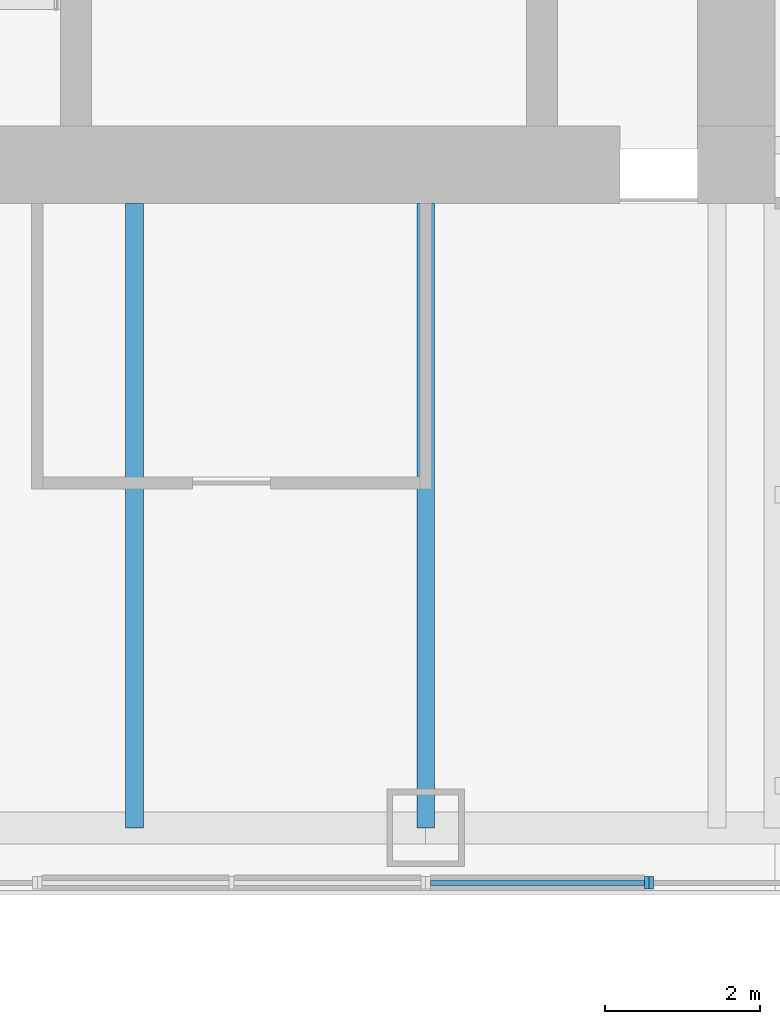
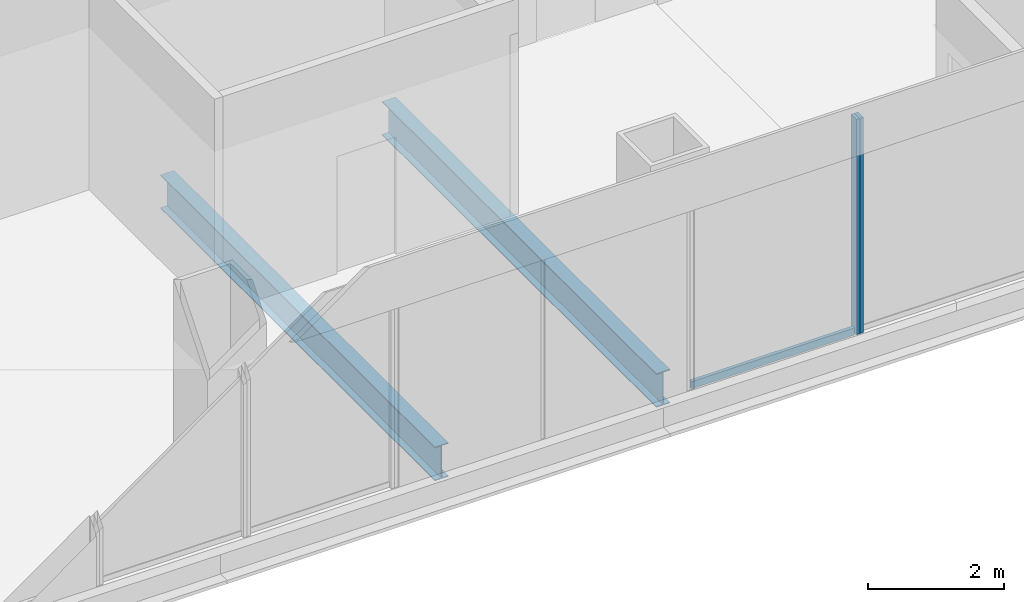
# One storey, part 3 of 14: 3 members, 2 beams, 2 elements without a shape of their own.
"""IFC4 building model written with IfcOpenShell, lengths in metres."""

from ifc_helpers import new_model, si_unit, direction, frame, origin, origin_2d, place, context, subcontext, project, spatial, rectangle, i_section, extrude, material, material_profile, profile_set, type_object, element, aggregate, save


model = new_model("IFC4")

# Units and contexts
model_context = context("Model", 3, precision=1e-05, world=origin(), true_north=direction((0.0, 1.0)))
body_context = subcontext(model_context, "Body", "Model", "MODEL_VIEW")
ifc_project = project(units=[si_unit("LENGTHUNIT", "METRE"), si_unit("AREAUNIT", "SQUARE_METRE"), si_unit("VOLUMEUNIT", "CUBIC_METRE"), si_unit("PLANEANGLEUNIT", "RADIAN"), si_unit("MASSUNIT", "GRAM", prefix="KILO")], contexts=[model_context])

# Site, building, storey
site_placement = place(None, origin())
site = spatial("IfcSite", under=ifc_project, at=site_placement, CompositionType="ELEMENT")
building_placement = place(site_placement, origin())
building = spatial("IfcBuilding", under=site, at=building_placement, Name="Tarangal Relay Tower", CompositionType="ELEMENT")
storey_placement = place(building_placement, frame((0.0, 0.0, 319.89990234375)))
storey = spatial("IfcBuildingStorey", under=building, at=storey_placement, Name="L71", CompositionType="ELEMENT", Elevation=319.89990234375)

# Beams
ifc_material_1 = material(Name="Steel ASTM A992", Category="steel")
ifc_material_profile_1 = material_profile(ifc_material_1, i_section(OverallWidth=0.228271484375, OverallDepth=0.607177734375, WebThickness=0.01123046875, FlangeThickness=0.017333984375, at=origin_2d()), Name="W24X76")
ifc_profile_set_1 = profile_set([ifc_material_profile_1], Name="Steel ASTM A992")
beam_type = type_object("IfcBeamType", Name="Floor beam W24X76", PredefinedType="BEAM", material=ifc_profile_set_1)
for number, where, z_axis, x_axis, name in (
    (1, (7.5, -12.0, -0.453369140625), (0.0, -1.0, 0.0), (1.0, 0.0, 0.0), "Floor beam RB5 S L71"),
    (2, (3.75, -12.0, -0.453369140625), (0.0, -1.0, 0.0), (1.0, 0.0, 0.0), "Floor beam RB5 S L71"),
):
    element("IfcBeam", number, at=place(storey_placement, frame(where, z_axis=z_axis, x_axis=x_axis)), inside=storey, type_object=beam_type, Name=name, PredefinedType="BEAM", context=body_context, shape_type="SweptSolid", body=[
        extrude(i_section(OverallWidth=0.228271484375, OverallDepth=0.607177734375, WebThickness=0.01123046875, FlangeThickness=0.017333984375, at=origin_2d()), origin(), (0.0, 0.0, 1.0), 8.0400390625),
    ])

# Curtain wall, member
ifc_material_2 = material(Name="Unitised curtain wall, dark glass and black aluminium", Category="aluminium")
curtain_wall_type_1 = type_object("IfcCurtainWallType", Name="Curtain wall CW-B", PredefinedType="USERDEFINED", material=ifc_material_2)
curtain_wall_1_placement = place(storey_placement, origin())
curtain_wall_1 = element("IfcCurtainWall", 3, at=curtain_wall_1_placement, inside=storey, type_object=curtain_wall_type_1, Name="Curtain wall CW-B S facade L71", ObjectType="UNITISED CURTAIN WALL", PredefinedType="USERDEFINED")
ifc_material_3 = material(Name="Black anodised aluminium mullion", Category="aluminium")
ifc_material_profile_2 = material_profile(ifc_material_3, rectangle(XDim=0.159912109375, YDim=0.06005859375, at=origin_2d()), Name="CW-BM 60X160")
ifc_profile_set_2 = profile_set([ifc_material_profile_2], Name="Black anodised aluminium mullion")
member_type_1 = type_object("IfcMemberType", Name="Mullion CW-B 60 x 160", PredefinedType="MULLION", material=ifc_profile_set_2)
member_1_placement = place(storey_placement, frame((10.405029296875, -20.75, 0.0), z_axis=(0.0, 0.0, 1.0), x_axis=(0.0, -1.0, 0.0)))
member_1 = element("IfcMember", 4, at=member_1_placement, type_object=member_type_1, Name="CW-B mullion 2", PredefinedType="MULLION", context=body_context, shape_type="SweptSolid", body=[
    extrude(rectangle(XDim=0.159912109375, YDim=0.06005859375, at=origin_2d()), origin(), (0.0, 0.0, 1.0), 3.85009765625),
])
aggregate(curtain_wall_1, [member_1])

# Curtain wall, members
ifc_material_4 = material(Name="Unitised curtain wall frame, black aluminium, with metal clad infill walls", Category="aluminium")
curtain_wall_type_2 = type_object("IfcCurtainWallType", Name="Curtain wall CW-BO", PredefinedType="USERDEFINED", material=ifc_material_4)
curtain_wall_2_placement = place(storey_placement, origin())
curtain_wall_2 = element("IfcCurtainWall", 5, at=curtain_wall_2_placement, inside=storey, type_object=curtain_wall_type_2, Name="Curtain wall CW-BO S facade L71", ObjectType="UNITISED CURTAIN WALL", PredefinedType="USERDEFINED")
ifc_material_profile_3 = material_profile(ifc_material_3, rectangle(XDim=0.159912109375, YDim=0.06005859375, at=origin_2d()), Name="CW-BOM 60X160")
ifc_profile_set_3 = profile_set([ifc_material_profile_3], Name="Black anodised aluminium mullion")
member_type_2 = type_object("IfcMemberType", Name="Mullion CW-BO 60 x 160", PredefinedType="MULLION", material=ifc_profile_set_3)
member_2_placement = place(storey_placement, frame((10.344970703125, -20.75, 0.0), z_axis=(0.0, 0.0, 1.0), x_axis=(0.0, -1.0, 0.0)))
member_2 = element("IfcMember", 6, at=member_2_placement, type_object=member_type_2, Name="CW-BO mullion 1", PredefinedType="MULLION", context=body_context, shape_type="SweptSolid", body=[
    extrude(rectangle(XDim=0.159912109375, YDim=0.06005859375, at=origin_2d()), origin(), (0.0, 0.0, 1.0), 3.85009765625),
])
ifc_material_5 = material(Name="Black anodised aluminium transom", Category="aluminium")
ifc_material_profile_4 = material_profile(ifc_material_5, rectangle(XDim=0.06005859375, YDim=0.1298828125, at=origin_2d()), Name="CW-BOT 60X130")
ifc_profile_set_4 = profile_set([ifc_material_profile_4], Name="Black anodised aluminium transom")
member_type_3 = type_object("IfcMemberType", Name="Transom CW-BO 60 x 130", PredefinedType="USERDEFINED", material=ifc_profile_set_4)
member_3_placement = place(storey_placement, frame((10.31494140625, -20.75, 0.030029296875), z_axis=(-1.0, 0.0, 0.0), x_axis=(0.0, -1.0, 0.0)))
member_3 = element("IfcMember", 7, at=member_3_placement, type_object=member_type_3, Name="CW-BO transom 1.1", ObjectType="TRANSOM", PredefinedType="USERDEFINED", context=body_context, shape_type="SweptSolid", body=[
    extrude(rectangle(XDim=0.06005859375, YDim=0.1298828125, at=origin_2d()), origin(), (0.0, 0.0, 1.0), 2.7548828125),
])
aggregate(curtain_wall_2, [member_2, member_3])

save(model, "model.ifc")
